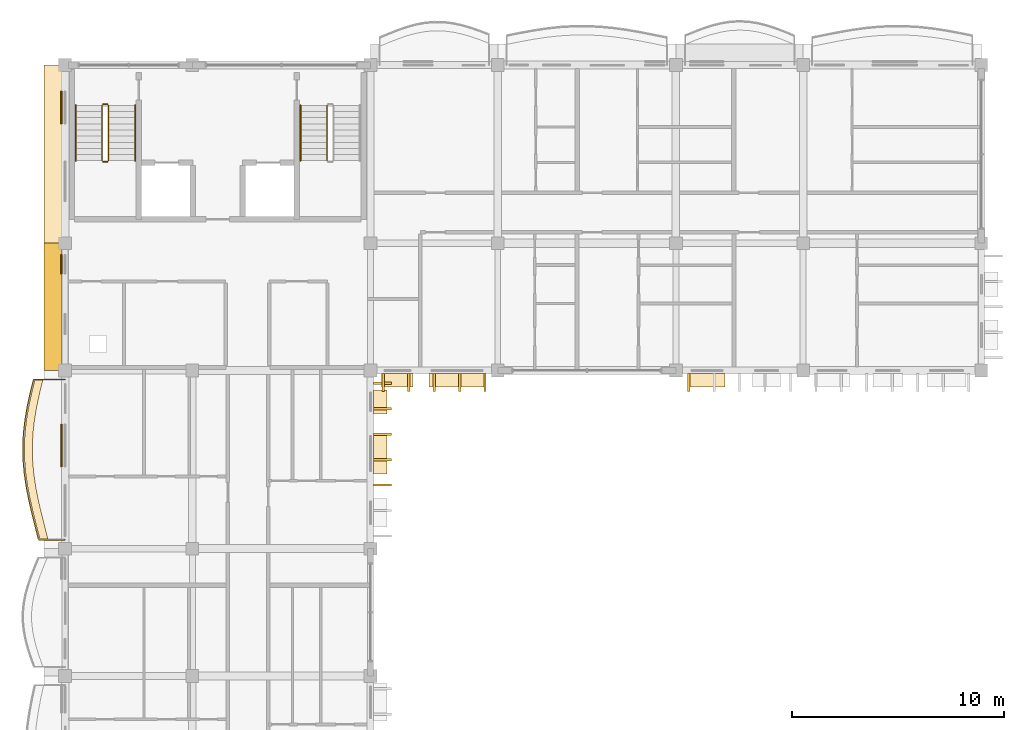
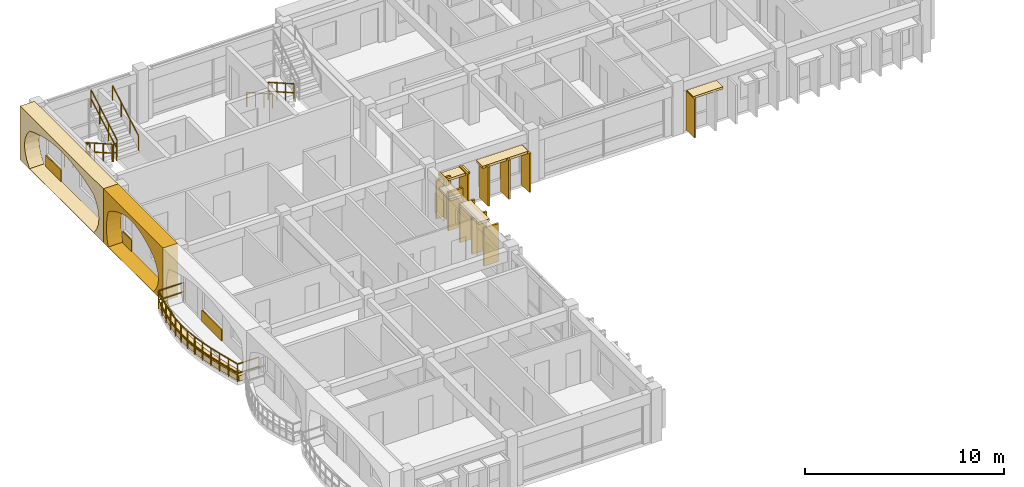
# One storey, part 54 of 68: 22 coverings, 9 railings.
"""IFC4 building model written with IfcOpenShell, lengths in metres."""

from ifc_helpers import new_model, si_unit, direction, frame, origin, origin_2d, place, context, subcontext, project, spatial, polyline, rectangle, outline, extrude, material, layer, layer_set, type_object, element, save


model = new_model("IFC4")

# Units and contexts
model_context = context("Model", 3, precision=1e-05, world=origin(), true_north=direction((0.0, 1.0)))
body_context = subcontext(model_context, "Body", "Model", "MODEL_VIEW")
ifc_project = project(units=[si_unit("LENGTHUNIT", "METRE"), si_unit("AREAUNIT", "SQUARE_METRE"), si_unit("VOLUMEUNIT", "CUBIC_METRE"), si_unit("PLANEANGLEUNIT", "RADIAN"), si_unit("MASSUNIT", "GRAM", prefix="KILO"), si_unit("THERMODYNAMICTEMPERATUREUNIT", "KELVIN")], contexts=[model_context])

# Site, building, storey
site_placement = place(None, origin())
site = spatial("IfcSite", under=ifc_project, at=site_placement, CompositionType="ELEMENT")
building_placement = place(site_placement, origin())
building = spatial("IfcBuilding", under=site, at=building_placement, Name="Thalorik Housing Commons", CompositionType="ELEMENT")
storey_placement = place(building_placement, frame((0.0, 0.0, 24.60009765625)))
storey = spatial("IfcBuildingStorey", under=building, at=storey_placement, Name="L07", CompositionType="ELEMENT", Elevation=24.60009765625)

# Coverings
ifc_material_1 = material(Name="Cobalt blue glazed ceramic facade tile panel", Category="masonry")
ifc_layer_1 = layer(ifc_material_1, 0.06005859375, Name="Cobalt blue glazed ceramic facade tile panel", Category="masonry")
ifc_layer_set_1 = layer_set([ifc_layer_1], Name="Cobalt blue glazed ceramic facade tile panel")
covering_type_1 = type_object("IfcCoveringType", Name="ARC-CLD-BLU-60", PredefinedType="CLADDING", material=ifc_layer_set_1)
covering_1_placement = place(storey_placement, frame((8.2275390625, 105.66748046875, 0.0498046875), z_axis=(0.0, 0.0, 1.0), x_axis=(0.0, -1.0, 0.0)))
element("IfcCovering", 1, at=covering_1_placement, inside=storey, type_object=covering_type_1, Name="L07 De Stijl Recessed Window Spandrel 772", PredefinedType="CLADDING", context=body_context, shape_type="SweptSolid", body=[
    extrude(rectangle(XDim=2.0, YDim=0.06005859375, at=origin_2d()), origin(), (0.0, 0.0, 1.0), 0.699951171875),
])
ifc_material_2 = material(Name="Precast concrete C40/50", Category="concrete")
ifc_layer_2 = layer(ifc_material_2, 0.85009765625, Name="Precast concrete C40/50", Category="concrete")
ifc_layer_set_2 = layer_set([ifc_layer_2], Name="Precast concrete C40/50")
covering_type_2 = type_object("IfcCoveringType", Name="ARC-CLD-CUSH-850", PredefinedType="CLADDING", material=ifc_layer_set_2)
covering_2_placement = place(storey_placement, frame((7.83740234375, 119.39990234375, 0.0), z_axis=(0.0, 0.0, 1.0), x_axis=(0.0, -1.0, 0.0)))
element("IfcCovering", 2, at=covering_2_placement, inside=storey, type_object=covering_type_2, Name="L07 White Precast Curved Cushion Bay Frame 767", PredefinedType="CLADDING", context=body_context, shape_type="SweptSolid", body=[
    extrude(outline(polyline([(-4.199951171875, 0.0), (4.199951171875, 0.0), (4.199951171875, 3.300048828125), (-4.199951171875, 3.300048828125), (-4.199951171875, 0.0)]), holes=[polyline([(3.239990234375, 0.02490234375), (3.523193359375, 0.410888671875), (3.693359375, 0.796630859375), (3.75, 1.1826171875), (3.693359375, 1.568359375), (3.523193359375, 1.9541015625), (3.239990234375, 2.340087890625), (2.699951171875, 2.552978515625), (2.159912109375, 2.720458984375), (1.6201171875, 2.85595703125), (1.080078125, 2.956787109375), (0.5400390625, 3.01904296875), (0.0, 3.0400390625), (-0.5400390625, 3.01904296875), (-1.080078125, 2.956787109375), (-1.6201171875, 2.85595703125), (-2.159912109375, 2.720458984375), (-2.699951171875, 2.552978515625), (-3.239990234375, 2.340087890625), (-3.523193359375, 1.9541015625), (-3.693359375, 1.568359375), (-3.75, 1.1826171875), (-3.693359375, 0.796630859375), (-3.523193359375, 0.410888671875), (-3.239990234375, 0.02490234375), (3.239990234375, 0.02490234375)])]), frame((0.0, 0.425048828125, 0.0), z_axis=(0.0, -1.0, 0.0), x_axis=(1.0, 0.0, 0.0)), (0.0, 0.0, 1.0), 0.85009765625),
])
covering_3_placement = place(storey_placement, frame((7.83740234375, 112.199951171875, 0.0), z_axis=(0.0, 0.0, 1.0), x_axis=(0.0, -1.0, 0.0)))
element("IfcCovering", 3, at=covering_3_placement, inside=storey, type_object=covering_type_2, Name="L07 White Precast Curved Cushion Bay Frame 769", PredefinedType="CLADDING", context=body_context, shape_type="SweptSolid", body=[
    extrude(outline(polyline([(-3.0, 0.0), (3.0, 0.0), (3.0, 3.300048828125), (-3.0, 3.300048828125), (-3.0, 0.0)]), holes=[polyline([(2.0400390625, 0.02490234375), (2.3232421875, 0.387451171875), (2.493408203125, 0.75), (2.550048828125, 1.112548828125), (2.493408203125, 1.47509765625), (2.3232421875, 1.83740234375), (2.0400390625, 2.199951171875), (1.661376953125, 2.455810546875), (1.282470703125, 2.656494140625), (0.90380859375, 2.819091796875), (0.52490234375, 2.940185546875), (0.146240234375, 3.014892578125), (-0.232421875, 3.0400390625), (-0.611328125, 3.014892578125), (-0.989990234375, 2.940185546875), (-1.36865234375, 2.819091796875), (-1.74755859375, 2.656494140625), (-2.126220703125, 2.455810546875), (-2.5048828125, 2.199951171875), (-2.609619140625, 1.83740234375), (-2.672119140625, 1.47509765625), (-2.693115234375, 1.112548828125), (-2.672119140625, 0.75), (-2.609619140625, 0.387451171875), (-2.5048828125, 0.02490234375), (2.0400390625, 0.02490234375)])]), frame((0.0, 0.425048828125, 0.0), z_axis=(0.0, -1.0, 0.0), x_axis=(1.0, 0.0, 0.0)), (0.0, 0.0, 1.0), 0.85009765625),
])
ifc_layer_3 = layer(ifc_material_2, 0.85009765625, Name="Precast concrete C40/50", Category="concrete")
ifc_layer_set_3 = layer_set([ifc_layer_3], Name="Precast concrete C40/50")
covering_type_3 = type_object("IfcCoveringType", Name="ARC-CLD-FIN-850", PredefinedType="CLADDING", material=ifc_layer_set_3)
for number, where, z_axis, x_axis, name in (
    (4, (23.39990234375, 108.637451171875, 0.039794921875), (0.0, 0.0, 1.0), (1.0, 0.0, 0.0), "L07 Courtyard Precast Vertical Brise-Soleil Fin 728"),
    (5, (24.60009765625, 108.637451171875, 0.039794921875), (0.0, 0.0, 1.0), (1.0, 0.0, 0.0), "L07 Courtyard Precast Vertical Brise-Soleil Fin 729"),
    (6, (25.800048828125, 108.637451171875, 0.039794921875), (0.0, 0.0, 1.0), (1.0, 0.0, 0.0), "L07 Courtyard Precast Vertical Brise-Soleil Fin 730"),
    (7, (27.0, 108.637451171875, 0.039794921875), (0.0, 0.0, 1.0), (1.0, 0.0, 0.0), "L07 Courtyard Precast Vertical Brise-Soleil Fin 731"),
    (8, (28.199951171875, 108.637451171875, 0.039794921875), (0.0, 0.0, 1.0), (1.0, 0.0, 0.0), "L07 Courtyard Precast Vertical Brise-Soleil Fin 732"),
    (9, (37.800048828125, 108.637451171875, 0.039794921875), (0.0, 0.0, 1.0), (1.0, 0.0, 0.0), "L07 Courtyard Precast Vertical Brise-Soleil Fin 735"),
):
    element("IfcCovering", number, at=place(storey_placement, frame(where, z_axis=z_axis, x_axis=x_axis)), inside=storey, type_object=covering_type_3, Name=name, PredefinedType="CLADDING", context=body_context, shape_type="SweptSolid", body=[
        extrude(rectangle(XDim=0.110107421875, YDim=0.85009765625, at=origin_2d()), origin(), (0.0, 0.0, 1.0), 2.39501953125),
    ])
for number, where, z_axis, x_axis, name in (
    (10, (23.362548828125, 103.800048828125, 0.0400390625), (0.0, 0.0, 1.0), (0.0, 1.0, 0.0), "L07 Courtyard Precast Vertical Brise-Soleil Fin 796"),
    (11, (23.362548828125, 105.0, 0.0400390625), (0.0, 0.0, 1.0), (0.0, 1.0, 0.0), "L07 Courtyard Precast Vertical Brise-Soleil Fin 797"),
    (12, (23.362548828125, 106.199951171875, 0.0400390625), (0.0, 0.0, 1.0), (0.0, 1.0, 0.0), "L07 Courtyard Precast Vertical Brise-Soleil Fin 798"),
    (13, (23.362548828125, 107.39990234375, 0.0400390625), (0.0, 0.0, 1.0), (0.0, 1.0, 0.0), "L07 Courtyard Precast Vertical Brise-Soleil Fin 799"),
    (14, (23.362548828125, 108.60009765625, 0.0400390625), (0.0, 0.0, 1.0), (0.0, 1.0, 0.0), "L07 Courtyard Precast Vertical Brise-Soleil Fin 800"),
):
    element("IfcCovering", number, at=place(storey_placement, frame(where, z_axis=z_axis, x_axis=x_axis)), inside=storey, type_object=covering_type_3, Name=name, PredefinedType="CLADDING", context=body_context, shape_type="SweptSolid", body=[
        extrude(rectangle(XDim=0.110107421875, YDim=0.85009765625, at=origin_2d()), origin(), (0.0, 0.0, 1.0), 2.344970703125),
    ])
ifc_layer_4 = layer(ifc_material_2, 0.64990234375, Name="Precast concrete C40/50", Category="concrete")
ifc_layer_set_4 = layer_set([ifc_layer_4], Name="Precast concrete C40/50")
covering_type_4 = type_object("IfcCoveringType", Name="ARC-CLD-HOOD-650", PredefinedType="CLADDING", material=ifc_layer_set_4)
covering_4_placement = place(storey_placement, frame((24.070068359375, 108.737548828125, 2.23974609375), z_axis=(0.0, 0.0, 1.0), x_axis=(1.0, 0.0, 0.0)))
element("IfcCovering", 15, at=covering_4_placement, inside=storey, type_object=covering_type_4, Name="L07 Courtyard Precast Window Sun-Hood 733", PredefinedType="CLADDING", context=body_context, shape_type="SweptSolid", body=[
    extrude(rectangle(XDim=1.489990234375, YDim=0.64990234375, at=origin_2d()), origin(), (0.0, 0.0, 1.0), 0.139892578125),
])
covering_5_placement = place(storey_placement, frame((26.8798828125, 108.737548828125, 2.31005859375), z_axis=(0.0, 0.0, 1.0), x_axis=(1.0, 0.0, 0.0)))
element("IfcCovering", 16, at=covering_5_placement, inside=storey, type_object=covering_type_4, Name="L07 Courtyard Precast Window Sun-Hood 734", PredefinedType="CLADDING", context=body_context, shape_type="SweptSolid", body=[
    extrude(rectangle(XDim=2.659912109375, YDim=0.64990234375, at=origin_2d()), origin(), (0.0, 0.0, 1.0), 0.139892578125),
])
covering_6_placement = place(storey_placement, frame((38.659912109375, 108.737548828125, 2.31005859375), z_axis=(0.0, 0.0, 1.0), x_axis=(1.0, 0.0, 0.0)))
element("IfcCovering", 17, at=covering_6_placement, inside=storey, type_object=covering_type_4, Name="L07 Courtyard Precast Window Sun-Hood 740", PredefinedType="CLADDING", context=body_context, shape_type="SweptSolid", body=[
    extrude(rectangle(XDim=1.719970703125, YDim=0.64990234375, at=origin_2d()), origin(), (0.0, 0.0, 1.0), 0.139892578125),
])
covering_7_placement = place(storey_placement, frame((23.262451171875, 105.287109375, 2.25), z_axis=(0.0, 0.0, 1.0), x_axis=(0.0, 1.0, 0.0)))
element("IfcCovering", 18, at=covering_7_placement, inside=storey, type_object=covering_type_4, Name="L07 Courtyard Precast Window Sun-Hood 802", PredefinedType="CLADDING", context=body_context, shape_type="SweptSolid", body=[
    extrude(rectangle(XDim=1.919921875, YDim=0.64990234375, at=origin_2d()), origin(), (0.0, 0.0, 1.0), 0.139892578125),
])
covering_8_placement = place(storey_placement, frame((23.262451171875, 107.722412109375, 1.98974609375), z_axis=(0.0, 0.0, 1.0), x_axis=(0.0, 1.0, 0.0)))
element("IfcCovering", 19, at=covering_8_placement, inside=storey, type_object=covering_type_4, Name="L07 Courtyard Precast Window Sun-Hood 803", PredefinedType="CLADDING", context=body_context, shape_type="SweptSolid", body=[
    extrude(rectangle(XDim=1.139892578125, YDim=0.64990234375, at=origin_2d()), origin(), (0.0, 0.0, 1.0), 0.139892578125),
])
ifc_material_3 = material(Name="Terracotta red mineral fibre-cement panel", Category="masonry")
ifc_layer_5 = layer(ifc_material_3, 0.054931640625, Name="Terracotta red mineral fibre-cement panel", Category="masonry")
ifc_layer_set_5 = layer_set([ifc_layer_5], Name="Terracotta red mineral fibre-cement panel")
covering_type_5 = type_object("IfcCoveringType", Name="ARC-CLD-RED-55", PredefinedType="CLADDING", material=ifc_layer_set_5)
covering_9_placement = place(storey_placement, frame((8.22998046875, 114.205078125, 0.0498046875), z_axis=(0.0, 0.0, 1.0), x_axis=(0.0, -1.0, 0.0)))
element("IfcCovering", 20, at=covering_9_placement, inside=storey, type_object=covering_type_5, Name="L07 De Stijl Recessed Window Spandrel 770", PredefinedType="CLADDING", context=body_context, shape_type="SweptSolid", body=[
    extrude(rectangle(XDim=0.89990234375, YDim=0.054931640625, at=origin_2d()), origin(), (0.0, 0.0, 1.0), 0.699951171875),
])
ifc_material_4 = material(Name="Mineral ochre architectural terracotta panel", Category="masonry")
ifc_layer_6 = layer(ifc_material_4, 0.06494140625, Name="Mineral ochre architectural terracotta panel", Category="masonry")
ifc_layer_set_6 = layer_set([ifc_layer_6], Name="Mineral ochre architectural terracotta panel")
covering_type_6 = type_object("IfcCoveringType", Name="ARC-CLD-YEL-65", PredefinedType="CLADDING", material=ifc_layer_set_6)
covering_10_placement = place(storey_placement, frame((8.22509765625, 121.603759765625, 0.0498046875), z_axis=(0.0, 0.0, 1.0), x_axis=(0.0, -1.0, 0.0)))
element("IfcCovering", 21, at=covering_10_placement, inside=storey, type_object=covering_type_6, Name="L07 De Stijl Recessed Window Spandrel 768", PredefinedType="CLADDING", context=body_context, shape_type="SweptSolid", body=[
    extrude(rectangle(XDim=1.52001953125, YDim=0.06494140625, at=origin_2d()), origin(), (0.0, 0.0, 1.0), 0.699951171875),
])
ifc_material_5 = material(Name="Planted vegetated substrate and terracotta trough", Category="masonry")
ifc_layer_7 = layer(ifc_material_5, 0.340087890625, Name="Planted vegetated substrate and terracotta trough", Category="masonry")
ifc_layer_set_7 = layer_set([ifc_layer_7], Name="Planted vegetated substrate and terracotta trough")
covering_type_7 = type_object("IfcCoveringType", Name="ARC-COV-PLANTER", PredefinedType="USERDEFINED", material=ifc_layer_set_7)
covering_11_placement = place(storey_placement, origin())
element("IfcCovering", 22, at=covering_11_placement, inside=storey, type_object=covering_type_7, Name="L07 Balcony Slab-Edge Planted Trough 5370", ObjectType="PLANTER", PredefinedType="USERDEFINED", context=body_context, shape_type="SweptSolid", body=[
    extrude(outline(polyline([(6.982421875, 108.780029296875), (6.825927734375, 108.14990234375), (6.68896484375, 107.52001953125), (6.580810546875, 106.889892578125), (6.5087890625, 106.260009765625), (6.4775390625, 105.6298828125), (6.489013671875, 105.0), (6.542236328125, 104.3701171875), (6.63330078125, 103.739990234375), (6.755615234375, 103.110107421875), (6.90087890625, 102.47998046875), (7.059326171875, 101.85009765625), (7.219482421875, 101.219970703125), (7.599609375, 101.219970703125), (7.439208984375, 101.85009765625), (7.281005859375, 102.47998046875), (7.135498046875, 103.110107421875), (7.01318359375, 103.739990234375), (6.922119140625, 104.3701171875), (6.868896484375, 105.0), (6.857666015625, 105.6298828125), (6.888916015625, 106.260009765625), (6.9609375, 106.889892578125), (7.069091796875, 107.52001953125), (7.205810546875, 108.14990234375), (7.3623046875, 108.780029296875), (6.982421875, 108.780029296875)])), origin(), (0.0, 0.0, 1.0), 0.33984375),
])

# Railings
ifc_material_6 = material(Name="Steel S355", Category="steel")
railing_type_1 = type_object("IfcRailingType", Name="ARC-RL-BAL-112", PredefinedType="BALUSTRADE", material=ifc_material_6)
railing_1_placement = place(storey_placement, frame((8.39990234375, 108.780029296875, 0.0)))
element("IfcRailing", 23, at=railing_1_placement, inside=storey, type_object=railing_type_1, Name="L07 Cushion Balcony Guardrail 54", PredefinedType="BALUSTRADE", context=body_context, shape_type="SweptSolid", body=[
    extrude(rectangle(XDim=0.050048828125, YDim=0.050048828125, at=origin_2d()), frame((0.0, 0.0, 1.09521484375), z_axis=(-1.0, 0.0, 0.0), x_axis=(0.0, -1.0, 0.0)), (0.0, 0.0, 1.0), 1.487548828125),
    extrude(rectangle(XDim=0.050048828125, YDim=0.050048828125, at=origin_2d()), frame((0.0, 0.0, 0.53515625), z_axis=(-1.0, 0.0, 0.0), x_axis=(0.0, -1.0, 0.0)), (0.0, 0.0, 1.0), 1.487548828125),
    extrude(rectangle(XDim=0.050048828125, YDim=0.050048828125, at=origin_2d()), frame((-1.487548828125, 0.0, 1.09521484375), z_axis=(-0.241031238453, -0.970517357954, 0.0), x_axis=(0.970517357954, -0.241031238453, 0.0)), (0.0, 0.0, 1.0), 0.649169921875),
    extrude(rectangle(XDim=0.050048828125, YDim=0.050048828125, at=origin_2d()), frame((-1.487548828125, 0.0, 0.53515625), z_axis=(-0.241031238453, -0.970517357954, 0.0), x_axis=(0.970517357954, -0.241031238453, 0.0)), (0.0, 0.0, 1.0), 0.649169921875),
    extrude(rectangle(XDim=0.050048828125, YDim=0.050048828125, at=origin_2d()), frame((-1.64404296875, -0.630126953125, 1.09521484375), z_axis=(-0.212476816488, -0.977166107914, 0.0), x_axis=(0.977166107914, -0.212476816488, 0.0)), (0.0, 0.0, 1.0), 0.64453125),
    extrude(rectangle(XDim=0.050048828125, YDim=0.050048828125, at=origin_2d()), frame((-1.64404296875, -0.630126953125, 0.53515625), z_axis=(-0.212476816488, -0.977166107914, 0.0), x_axis=(0.977166107914, -0.212476816488, 0.0)), (0.0, 0.0, 1.0), 0.64453125),
    extrude(rectangle(XDim=0.050048828125, YDim=0.050048828125, at=origin_2d()), frame((-1.781005859375, -1.260009765625, 1.09521484375), z_axis=(-0.168794219485, -0.98565131333, 0.0), x_axis=(0.98565131333, -0.168794219485, 0.0)), (0.0, 0.0, 1.0), 0.639404296875),
    extrude(rectangle(XDim=0.050048828125, YDim=0.050048828125, at=origin_2d()), frame((-1.781005859375, -1.260009765625, 0.53515625), z_axis=(-0.168794219485, -0.98565131333, 0.0), x_axis=(0.98565131333, -0.168794219485, 0.0)), (0.0, 0.0, 1.0), 0.639404296875),
    extrude(rectangle(XDim=0.050048828125, YDim=0.050048828125, at=origin_2d()), frame((-1.888916015625, -1.89013671875, 1.09521484375), z_axis=(-0.113980987451, -0.993482931157, 0.0), x_axis=(0.993482931157, -0.113980987451, 0.0)), (0.0, 0.0, 1.0), 0.634033203125),
    extrude(rectangle(XDim=0.050048828125, YDim=0.050048828125, at=origin_2d()), frame((-1.888916015625, -1.89013671875, 0.53515625), z_axis=(-0.113980987451, -0.993482931157, 0.0), x_axis=(0.993482931157, -0.113980987451, 0.0)), (0.0, 0.0, 1.0), 0.634033203125),
    extrude(rectangle(XDim=0.050048828125, YDim=0.050048828125, at=origin_2d()), frame((-1.961181640625, -2.52001953125, 1.09521484375), z_axis=(-0.049146273597, -0.998791591771, 0.0), x_axis=(0.998791591771, -0.049146273597, 0.0)), (0.0, 0.0, 1.0), 0.630859375),
    extrude(rectangle(XDim=0.050048828125, YDim=0.050048828125, at=origin_2d()), frame((-1.961181640625, -2.52001953125, 0.53515625), z_axis=(-0.049146273597, -0.998791591771, 0.0), x_axis=(0.998791591771, -0.049146273597, 0.0)), (0.0, 0.0, 1.0), 0.630859375),
    extrude(rectangle(XDim=0.050048828125, YDim=0.050048828125, at=origin_2d()), frame((-1.9921875, -3.150146484375, 1.09521484375), z_axis=(0.017826624141, -0.99984109311, 0.0), x_axis=(0.99984109311, 0.017826624141, 0.0)), (0.0, 0.0, 1.0), 0.6298828125),
    extrude(rectangle(XDim=0.050048828125, YDim=0.050048828125, at=origin_2d()), frame((-1.9921875, -3.150146484375, 0.53515625), z_axis=(0.017826624141, -0.99984109311, 0.0), x_axis=(0.99984109311, 0.017826624141, 0.0)), (0.0, 0.0, 1.0), 0.6298828125),
    extrude(rectangle(XDim=0.050048828125, YDim=0.050048828125, at=origin_2d()), frame((-1.98095703125, -3.780029296875, 1.09521484375), z_axis=(0.084196095588, -0.99644920467, 0.0), x_axis=(0.99644920467, 0.084196095588, 0.0)), (0.0, 0.0, 1.0), 0.632080078125),
    extrude(rectangle(XDim=0.050048828125, YDim=0.050048828125, at=origin_2d()), frame((-1.98095703125, -3.780029296875, 0.53515625), z_axis=(0.084196095588, -0.99644920467, 0.0), x_axis=(0.99644920467, 0.084196095588, 0.0)), (0.0, 0.0, 1.0), 0.632080078125),
    extrude(rectangle(XDim=0.050048828125, YDim=0.050048828125, at=origin_2d()), frame((-1.927734375, -4.409912109375, 1.09521484375), z_axis=(0.143031713848, -0.989718105742, 0.0), x_axis=(0.989718105742, 0.143031713848, 0.0)), (0.0, 0.0, 1.0), 0.63671875),
    extrude(rectangle(XDim=0.050048828125, YDim=0.050048828125, at=origin_2d()), frame((-1.927734375, -4.409912109375, 0.53515625), z_axis=(0.143031713848, -0.989718105742, 0.0), x_axis=(0.989718105742, 0.143031713848, 0.0)), (0.0, 0.0, 1.0), 0.63671875),
    extrude(rectangle(XDim=0.050048828125, YDim=0.050048828125, at=origin_2d()), frame((-1.836669921875, -5.0400390625, 1.09521484375), z_axis=(0.190625234658, -0.981662885064, 0.0), x_axis=(0.981662885064, 0.190625234658, 0.0)), (0.0, 0.0, 1.0), 0.6416015625),
    extrude(rectangle(XDim=0.050048828125, YDim=0.050048828125, at=origin_2d()), frame((-1.836669921875, -5.0400390625, 0.53515625), z_axis=(0.190625234658, -0.981662885064, 0.0), x_axis=(0.981662885064, 0.190625234658, 0.0)), (0.0, 0.0, 1.0), 0.6416015625),
    extrude(rectangle(XDim=0.050048828125, YDim=0.050048828125, at=origin_2d()), frame((-1.71435546875, -5.669921875, 1.09521484375), z_axis=(0.224997360081, -0.974359373104, 0.0), x_axis=(0.974359373104, 0.224997360081, 0.0)), (0.0, 0.0, 1.0), 0.646728515625),
    extrude(rectangle(XDim=0.050048828125, YDim=0.050048828125, at=origin_2d()), frame((-1.71435546875, -5.669921875, 0.53515625), z_axis=(0.224997360081, -0.974359373104, 0.0), x_axis=(0.974359373104, 0.224997360081, 0.0)), (0.0, 0.0, 1.0), 0.646728515625),
    extrude(rectangle(XDim=0.050048828125, YDim=0.050048828125, at=origin_2d()), frame((-1.56884765625, -6.300048828125, 1.09521484375), z_axis=(0.243596904294, -0.969876563393, 0.0), x_axis=(0.969876563393, 0.243596904294, 0.0)), (0.0, 0.0, 1.0), 0.6494140625),
    extrude(rectangle(XDim=0.050048828125, YDim=0.050048828125, at=origin_2d()), frame((-1.56884765625, -6.300048828125, 0.53515625), z_axis=(0.243596904294, -0.969876563393, 0.0), x_axis=(0.969876563393, 0.243596904294, 0.0)), (0.0, 0.0, 1.0), 0.6494140625),
    extrude(rectangle(XDim=0.050048828125, YDim=0.050048828125, at=origin_2d()), frame((-1.41064453125, -6.929931640625, 1.09521484375), z_axis=(0.246685691995, -0.969095541918, 0.0), x_axis=(0.969095541918, 0.246685691995, 0.0)), (0.0, 0.0, 1.0), 0.650146484375),
    extrude(rectangle(XDim=0.050048828125, YDim=0.050048828125, at=origin_2d()), frame((-1.41064453125, -6.929931640625, 0.53515625), z_axis=(0.246685691995, -0.969095541918, 0.0), x_axis=(0.969095541918, 0.246685691995, 0.0)), (0.0, 0.0, 1.0), 0.650146484375),
    extrude(rectangle(XDim=0.050048828125, YDim=0.050048828125, at=origin_2d()), frame((-1.250244140625, -7.56005859375, 1.09521484375), z_axis=(1.0, 0.0, 0.0), x_axis=(0.0, 1.0, 0.0)), (0.0, 0.0, 1.0), 1.250244140625),
    extrude(rectangle(XDim=0.050048828125, YDim=0.050048828125, at=origin_2d()), frame((-1.250244140625, -7.56005859375, 0.53515625), z_axis=(1.0, 0.0, 0.0), x_axis=(0.0, 1.0, 0.0)), (0.0, 0.0, 1.0), 1.250244140625),
    extrude(rectangle(XDim=0.0419921875, YDim=0.0419921875, at=origin_2d()), origin(), (0.0, 0.0, 1.0), 1.070068359375),
    extrude(rectangle(XDim=0.0419921875, YDim=0.0419921875, at=origin_2d()), frame((-1.487548828125, 0.0, 0.0)), (0.0, 0.0, 1.0), 1.070068359375),
    extrude(rectangle(XDim=0.0419921875, YDim=0.0419921875, at=origin_2d()), frame((-1.64404296875, -0.630126953125, 0.0)), (0.0, 0.0, 1.0), 1.070068359375),
    extrude(rectangle(XDim=0.0419921875, YDim=0.0419921875, at=origin_2d()), frame((-1.781005859375, -1.260009765625, 0.0)), (0.0, 0.0, 1.0), 1.070068359375),
    extrude(rectangle(XDim=0.0419921875, YDim=0.0419921875, at=origin_2d()), frame((-1.888916015625, -1.89013671875, 0.0)), (0.0, 0.0, 1.0), 1.070068359375),
    extrude(rectangle(XDim=0.0419921875, YDim=0.0419921875, at=origin_2d()), frame((-1.961181640625, -2.52001953125, 0.0)), (0.0, 0.0, 1.0), 1.070068359375),
    extrude(rectangle(XDim=0.0419921875, YDim=0.0419921875, at=origin_2d()), frame((-1.9921875, -3.150146484375, 0.0)), (0.0, 0.0, 1.0), 1.070068359375),
    extrude(rectangle(XDim=0.0419921875, YDim=0.0419921875, at=origin_2d()), frame((-1.98095703125, -3.780029296875, 0.0)), (0.0, 0.0, 1.0), 1.070068359375),
    extrude(rectangle(XDim=0.0419921875, YDim=0.0419921875, at=origin_2d()), frame((-1.927734375, -4.409912109375, 0.0)), (0.0, 0.0, 1.0), 1.070068359375),
    extrude(rectangle(XDim=0.0419921875, YDim=0.0419921875, at=origin_2d()), frame((-1.836669921875, -5.0400390625, 0.0)), (0.0, 0.0, 1.0), 1.070068359375),
    extrude(rectangle(XDim=0.0419921875, YDim=0.0419921875, at=origin_2d()), frame((-1.71435546875, -5.669921875, 0.0)), (0.0, 0.0, 1.0), 1.070068359375),
    extrude(rectangle(XDim=0.0419921875, YDim=0.0419921875, at=origin_2d()), frame((-1.56884765625, -6.300048828125, 0.0)), (0.0, 0.0, 1.0), 1.070068359375),
    extrude(rectangle(XDim=0.0419921875, YDim=0.0419921875, at=origin_2d()), frame((-1.41064453125, -6.929931640625, 0.0)), (0.0, 0.0, 1.0), 1.070068359375),
    extrude(rectangle(XDim=0.0419921875, YDim=0.0419921875, at=origin_2d()), frame((-1.250244140625, -7.56005859375, 0.0)), (0.0, 0.0, 1.0), 1.070068359375),
    extrude(rectangle(XDim=0.0419921875, YDim=0.0419921875, at=origin_2d()), frame((0.0, -7.56005859375, 0.0)), (0.0, 0.0, 1.0), 1.070068359375),
])
railing_type_2 = type_object("IfcRailingType", Name="ARC-RL-STR-GRD110", PredefinedType="GUARDRAIL", material=ifc_material_6)
railing_2_placement = place(storey_placement, frame((10.14990234375, 121.699951171875, 0.164794921875)))
element("IfcRailing", 24, at=railing_2_placement, inside=storey, type_object=railing_type_2, Name="L07 ST-A1 stair guard 1", PredefinedType="GUARDRAIL", context=body_context, shape_type="SweptSolid", body=[
    extrude(rectangle(XDim=0.048095703125, YDim=0.048095703125, at=origin_2d()), frame((0.0, 0.0, 1.076171875), z_axis=(0.0, -0.869137319866, 0.494570843475), x_axis=(1.0, 0.0, 0.0)), (0.0, 0.0, 1.0), 3.0029296875),
    extrude(rectangle(XDim=0.048095703125, YDim=0.048095703125, at=origin_2d()), frame((0.0, 0.0, 0.52587890625), z_axis=(0.0, -0.869137319866, 0.494570843475), x_axis=(1.0, 0.0, 0.0)), (0.0, 0.0, 1.0), 3.0029296875),
    extrude(rectangle(XDim=0.0419921875, YDim=0.0419921875, at=origin_2d()), origin(), (0.0, 0.0, 1.0), 1.052001953125),
    extrude(rectangle(XDim=0.0419921875, YDim=0.0419921875, at=origin_2d()), frame((0.0, -0.869873046875, 0.4951171875)), (0.0, 0.0, 1.0), 1.052001953125),
    extrude(rectangle(XDim=0.0419921875, YDim=0.0419921875, at=origin_2d()), frame((0.0, -1.739990234375, 0.989990234375)), (0.0, 0.0, 1.0), 1.052001953125),
    extrude(rectangle(XDim=0.0419921875, YDim=0.0419921875, at=origin_2d()), frame((0.0, -2.60986328125, 1.485107421875)), (0.0, 0.0, 1.0), 1.052001953125),
])
railing_3_placement = place(storey_placement, frame((10.199951171875, 119.0400390625, 1.64990234375)))
element("IfcRailing", 25, at=railing_3_placement, inside=storey, type_object=railing_type_2, Name="L07 ST-A1 stair guard 2", PredefinedType="GUARDRAIL", context=body_context, shape_type="SweptSolid", body=[
    extrude(rectangle(XDim=0.048095703125, YDim=0.048095703125, at=origin_2d()), frame((0.0, 0.0, 1.076171875), z_axis=(1.0, 0.0, 0.0), x_axis=(0.0, 1.0, 0.0)), (0.0, 0.0, 1.0), 0.199951171875),
    extrude(rectangle(XDim=0.048095703125, YDim=0.048095703125, at=origin_2d()), frame((0.0, 0.0, 0.52587890625), z_axis=(1.0, 0.0, 0.0), x_axis=(0.0, 1.0, 0.0)), (0.0, 0.0, 1.0), 0.199951171875),
    extrude(rectangle(XDim=0.0419921875, YDim=0.0419921875, at=origin_2d()), origin(), (0.0, 0.0, 1.0), 1.052001953125),
    extrude(rectangle(XDim=0.0419921875, YDim=0.0419921875, at=origin_2d()), frame((0.199951171875, 0.0, 0.0)), (0.0, 0.0, 1.0), 1.052001953125),
])
railing_4_placement = place(storey_placement, frame((10.449951171875, 119.090087890625, 1.81494140625)))
element("IfcRailing", 26, at=railing_4_placement, inside=storey, type_object=railing_type_2, Name="L07 ST-A1 stair guard 3", PredefinedType="GUARDRAIL", context=body_context, shape_type="SweptSolid", body=[
    extrude(rectangle(XDim=0.048095703125, YDim=0.048095703125, at=origin_2d()), frame((0.0, 0.0, 1.076171875), z_axis=(0.0, 0.869172267526, 0.494509422927), x_axis=(-1.0, 0.0, 0.0)), (0.0, 0.0, 1.0), 3.002685546875),
    extrude(rectangle(XDim=0.048095703125, YDim=0.048095703125, at=origin_2d()), frame((0.0, 0.0, 0.52587890625), z_axis=(0.0, 0.869172267526, 0.494509422927), x_axis=(-1.0, 0.0, 0.0)), (0.0, 0.0, 1.0), 3.002685546875),
    extrude(rectangle(XDim=0.0419921875, YDim=0.0419921875, at=origin_2d()), origin(), (0.0, 0.0, 1.0), 1.052001953125),
    extrude(rectangle(XDim=0.0419921875, YDim=0.0419921875, at=origin_2d()), frame((0.0, 0.869873046875, 0.494873046875)), (0.0, 0.0, 1.0), 1.052001953125),
    extrude(rectangle(XDim=0.0419921875, YDim=0.0419921875, at=origin_2d()), frame((0.0, 1.739990234375, 0.989990234375)), (0.0, 0.0, 1.0), 1.052001953125),
    extrude(rectangle(XDim=0.0419921875, YDim=0.0419921875, at=origin_2d()), frame((0.0, 2.60986328125, 1.48486328125)), (0.0, 0.0, 1.0), 1.052001953125),
])
railing_5_placement = place(storey_placement, frame((10.199951171875, 121.75, 0.0)))
element("IfcRailing", 27, at=railing_5_placement, inside=storey, type_object=railing_type_2, Name="L07 ST-A1 stair guard 4", PredefinedType="GUARDRAIL", context=body_context, shape_type="SweptSolid", body=[
    extrude(rectangle(XDim=0.048095703125, YDim=0.048095703125, at=origin_2d()), frame((0.0, 0.0, 1.076171875), z_axis=(1.0, 0.0, 0.0), x_axis=(0.0, 1.0, 0.0)), (0.0, 0.0, 1.0), 0.199951171875),
    extrude(rectangle(XDim=0.048095703125, YDim=0.048095703125, at=origin_2d()), frame((0.0, 0.0, 0.52587890625), z_axis=(1.0, 0.0, 0.0), x_axis=(0.0, 1.0, 0.0)), (0.0, 0.0, 1.0), 0.199951171875),
    extrude(rectangle(XDim=0.0419921875, YDim=0.0419921875, at=origin_2d()), origin(), (0.0, 0.0, 1.0), 1.052001953125),
    extrude(rectangle(XDim=0.0419921875, YDim=0.0419921875, at=origin_2d()), frame((0.199951171875, 0.0, 0.0)), (0.0, 0.0, 1.0), 1.052001953125),
])
railing_6_placement = place(storey_placement, frame((20.75, 121.699951171875, 0.164794921875)))
element("IfcRailing", 28, at=railing_6_placement, inside=storey, type_object=railing_type_2, Name="L07 ST-A2 stair guard 1", PredefinedType="GUARDRAIL", context=body_context, shape_type="SweptSolid", body=[
    extrude(rectangle(XDim=0.048095703125, YDim=0.048095703125, at=origin_2d()), frame((0.0, 0.0, 1.076171875), z_axis=(0.0, -0.869137319866, 0.494570843475), x_axis=(1.0, 0.0, 0.0)), (0.0, 0.0, 1.0), 3.0029296875),
    extrude(rectangle(XDim=0.048095703125, YDim=0.048095703125, at=origin_2d()), frame((0.0, 0.0, 0.52587890625), z_axis=(0.0, -0.869137319866, 0.494570843475), x_axis=(1.0, 0.0, 0.0)), (0.0, 0.0, 1.0), 3.0029296875),
    extrude(rectangle(XDim=0.0419921875, YDim=0.0419921875, at=origin_2d()), origin(), (0.0, 0.0, 1.0), 1.052001953125),
    extrude(rectangle(XDim=0.0419921875, YDim=0.0419921875, at=origin_2d()), frame((0.0, -0.869873046875, 0.4951171875)), (0.0, 0.0, 1.0), 1.052001953125),
    extrude(rectangle(XDim=0.0419921875, YDim=0.0419921875, at=origin_2d()), frame((0.0, -1.739990234375, 0.989990234375)), (0.0, 0.0, 1.0), 1.052001953125),
    extrude(rectangle(XDim=0.0419921875, YDim=0.0419921875, at=origin_2d()), frame((0.0, -2.60986328125, 1.485107421875)), (0.0, 0.0, 1.0), 1.052001953125),
])
railing_type_3 = type_object("IfcRailingType", Name="ARC-RL-STR-HR092", PredefinedType="HANDRAIL", material=ifc_material_6)
railing_7_placement = place(storey_placement, frame((8.89990234375, 121.699951171875, 0.164794921875)))
element("IfcRailing", 29, at=railing_7_placement, inside=storey, type_object=railing_type_3, Name="L07 ST-A1 stair handrail 1", PredefinedType="HANDRAIL", context=body_context, shape_type="SweptSolid", body=[
    extrude(rectangle(XDim=0.048095703125, YDim=0.048095703125, at=origin_2d()), frame((0.0, 0.0, 0.89599609375), z_axis=(0.0, -0.869137319866, 0.494570843475), x_axis=(1.0, 0.0, 0.0)), (0.0, 0.0, 1.0), 3.0029296875),
    extrude(rectangle(XDim=0.0419921875, YDim=0.0419921875, at=origin_2d()), origin(), (0.0, 0.0, 1.0), 0.871826171875),
    extrude(rectangle(XDim=0.0419921875, YDim=0.0419921875, at=origin_2d()), frame((0.0, -0.869873046875, 0.4951171875)), (0.0, 0.0, 1.0), 0.871826171875),
    extrude(rectangle(XDim=0.0419921875, YDim=0.0419921875, at=origin_2d()), frame((0.0, -1.739990234375, 0.989990234375)), (0.0, 0.0, 1.0), 0.871826171875),
    extrude(rectangle(XDim=0.0419921875, YDim=0.0419921875, at=origin_2d()), frame((0.0, -2.60986328125, 1.485107421875)), (0.0, 0.0, 1.0), 0.871826171875),
])
railing_8_placement = place(storey_placement, frame((11.699951171875, 119.090087890625, 1.81494140625)))
element("IfcRailing", 30, at=railing_8_placement, inside=storey, type_object=railing_type_3, Name="L07 ST-A1 stair handrail 2", PredefinedType="HANDRAIL", context=body_context, shape_type="SweptSolid", body=[
    extrude(rectangle(XDim=0.048095703125, YDim=0.048095703125, at=origin_2d()), frame((0.0, 0.0, 0.89599609375), z_axis=(0.0, 0.869172267526, 0.494509422927), x_axis=(-1.0, 0.0, 0.0)), (0.0, 0.0, 1.0), 3.002685546875),
    extrude(rectangle(XDim=0.0419921875, YDim=0.0419921875, at=origin_2d()), origin(), (0.0, 0.0, 1.0), 0.871826171875),
    extrude(rectangle(XDim=0.0419921875, YDim=0.0419921875, at=origin_2d()), frame((0.0, 0.869873046875, 0.494873046875)), (0.0, 0.0, 1.0), 0.871826171875),
    extrude(rectangle(XDim=0.0419921875, YDim=0.0419921875, at=origin_2d()), frame((0.0, 1.739990234375, 0.989990234375)), (0.0, 0.0, 1.0), 0.871826171875),
    extrude(rectangle(XDim=0.0419921875, YDim=0.0419921875, at=origin_2d()), frame((0.0, 2.60986328125, 1.48486328125)), (0.0, 0.0, 1.0), 0.871826171875),
])
railing_9_placement = place(storey_placement, frame((19.5, 121.699951171875, 0.164794921875)))
element("IfcRailing", 31, at=railing_9_placement, inside=storey, type_object=railing_type_3, Name="L07 ST-A2 stair handrail 1", PredefinedType="HANDRAIL", context=body_context, shape_type="SweptSolid", body=[
    extrude(rectangle(XDim=0.048095703125, YDim=0.048095703125, at=origin_2d()), frame((0.0, 0.0, 0.89599609375), z_axis=(0.0, -0.869137319866, 0.494570843475), x_axis=(1.0, 0.0, 0.0)), (0.0, 0.0, 1.0), 3.0029296875),
    extrude(rectangle(XDim=0.0419921875, YDim=0.0419921875, at=origin_2d()), origin(), (0.0, 0.0, 1.0), 0.871826171875),
    extrude(rectangle(XDim=0.0419921875, YDim=0.0419921875, at=origin_2d()), frame((0.0, -0.869873046875, 0.4951171875)), (0.0, 0.0, 1.0), 0.871826171875),
    extrude(rectangle(XDim=0.0419921875, YDim=0.0419921875, at=origin_2d()), frame((0.0, -1.739990234375, 0.989990234375)), (0.0, 0.0, 1.0), 0.871826171875),
    extrude(rectangle(XDim=0.0419921875, YDim=0.0419921875, at=origin_2d()), frame((0.0, -2.60986328125, 1.485107421875)), (0.0, 0.0, 1.0), 0.871826171875),
])

save(model, "model.ifc")
